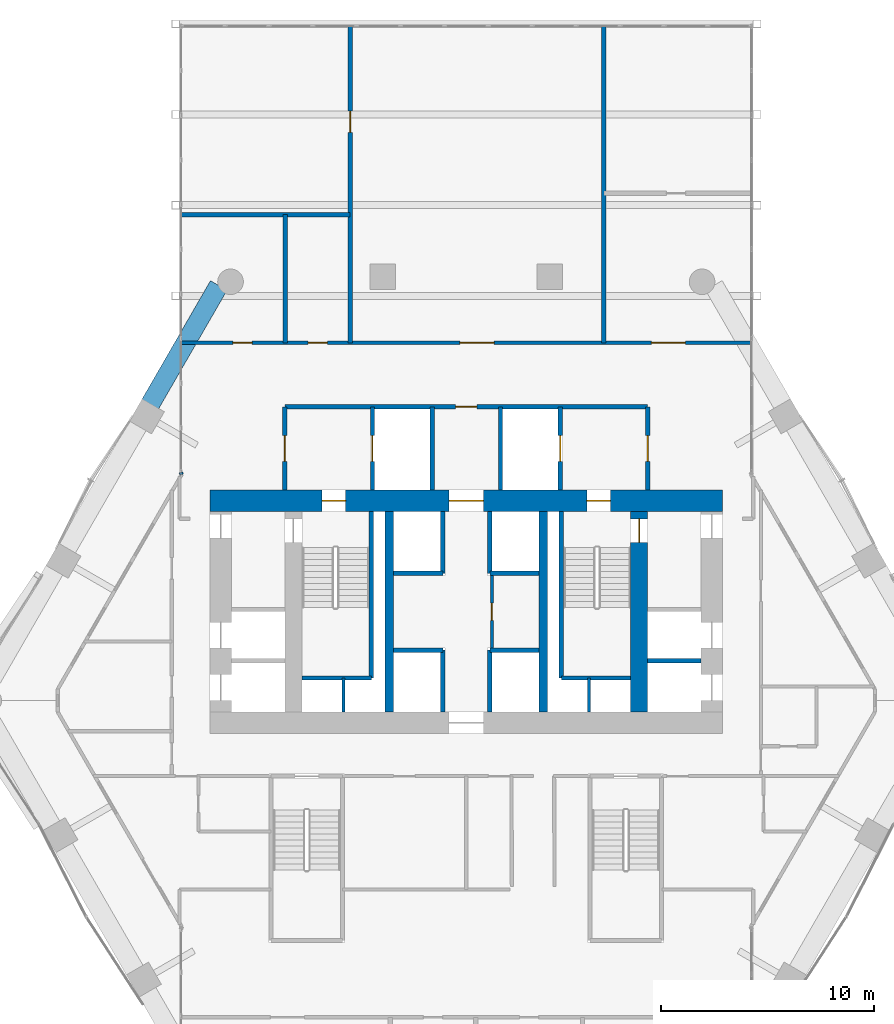
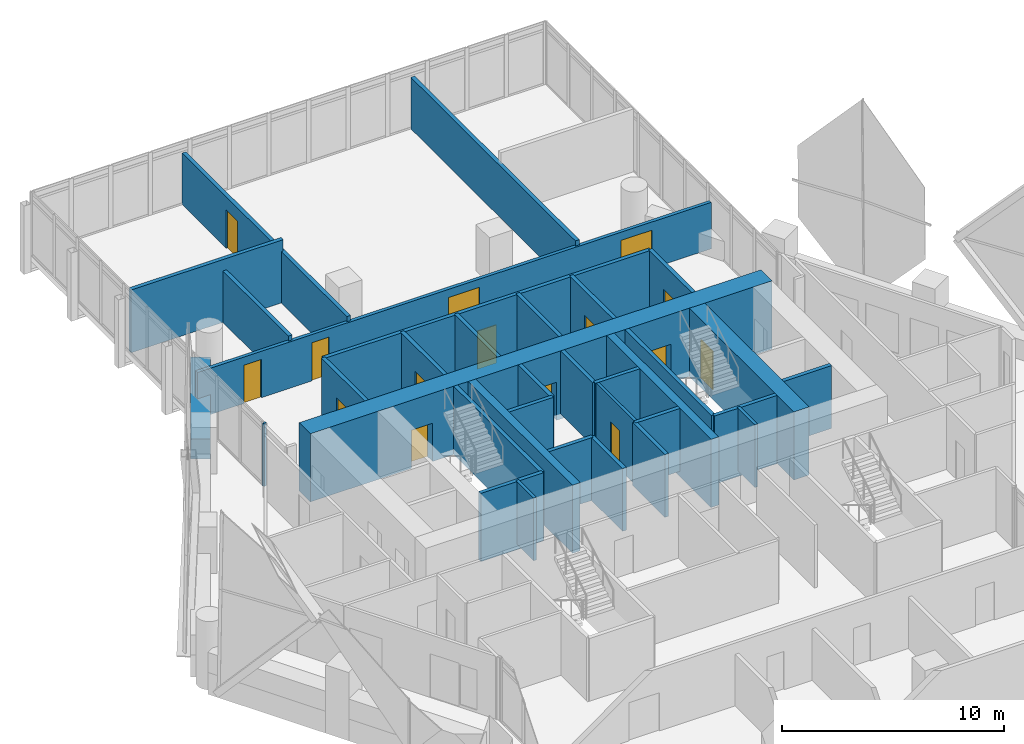
# One storey, part 31 of 38: 34 walls, 15 doors, 15 openings.
"""IFC4 building model written with IfcOpenShell, lengths in metres."""

import ifcopenshell
import ifcopenshell.guid

model = None  # the IFC model being written
_history = None  # IfcOwnerHistory: only IFC2X3 demands one
_inside = {}  # id of a spatial element -> (the spatial element, [elements in it])
_under = {}  # id of a project, library or spatial element -> (it, [spatial elements below it])
_declared = {}  # id of a project -> (the project, [libraries it declares])
_typed = {}  # id of a type object -> (the type object, [elements of that type])
_made_of = {}  # id of a material, layer set ... -> (it, [elements and type objects made of it])


def new_model(schema):
    """Start an empty IFC model of exactly this schema.

    Asked for "IFC4X3", IfcOpenShell would pick the latest addendum, in which some entities
    have other attributes; the version numbers below select the first issue.
    IFC2X3 requires an IfcOwnerHistory on every rooted entity: one is made here for all.
    """
    global model, _history
    if schema == "IFC4X3":
        model = ifcopenshell.file(schema_version=(4, 3, 0, 0))
    else:
        model = ifcopenshell.file(schema=schema)
    _inside.clear()
    _under.clear()
    _declared.clear()
    _typed.clear()
    _made_of.clear()
    _history = None
    if model.schema == "IFC2X3":
        org = make("IfcOrganization", Name="unknown")
        user = make(
            "IfcPersonAndOrganization",
            ThePerson=make("IfcPerson", FamilyName="unknown"),
            TheOrganization=org,
        )
        app = make(
            "IfcApplication",
            ApplicationDeveloper=org,
            Version="unknown",
            ApplicationFullName="unknown",
            ApplicationIdentifier="unknown",
        )
        _history = make(
            "IfcOwnerHistory",
            OwningUser=user,
            OwningApplication=app,
            ChangeAction="ADDED",
            CreationDate=0,
        )
    return model


def make(cls, **values):
    """One entity of the class cls with the attributes given. An attribute that is None is left unset."""
    return model.create_entity(
        cls, **{name: value for name, value in values.items() if value is not None}
    )


def rooted(cls, **values):
    """An entity with a GlobalId (a new one), such as an element, a storey or a relation."""
    return make(cls, GlobalId=ifcopenshell.guid.new(), OwnerHistory=_history, **values)


def si_unit(unit_type, name, prefix=None):
    """IfcSIUnit, for example si_unit("LENGTHUNIT", "METRE", prefix="MILLI")."""
    return make("IfcSIUnit", UnitType=unit_type, Prefix=prefix, Name=name)


def assignment(units):
    """IfcUnitAssignment: the units of a project."""
    return None if units is None else make("IfcUnitAssignment", Units=units)


def point(xyz):
    """IfcCartesianPoint."""
    return None if xyz is None else make("IfcCartesianPoint", Coordinates=xyz)


def direction(xyz):
    """IfcDirection."""
    return None if xyz is None else make("IfcDirection", DirectionRatios=xyz)


def frame(location, z_axis=None, x_axis=None):
    """IfcAxis2Placement3D, a coordinate frame: its origin and axes. An axis left out is left unset."""
    return make(
        "IfcAxis2Placement3D",
        Location=point(location),
        Axis=direction(z_axis),
        RefDirection=direction(x_axis),
    )


def frame_2d(location, x_axis=None):
    """IfcAxis2Placement2D, a coordinate frame in the plane: its origin and x axis."""
    return make(
        "IfcAxis2Placement2D", Location=point(location), RefDirection=direction(x_axis)
    )


def origin():
    """The frame at (0, 0, 0) with its axes left unset."""
    return frame((0.0, 0.0, 0.0))


def place(relative_to, where):
    """IfcLocalPlacement: puts the frame where relative to a parent placement (None: the world)."""
    return make(
        "IfcLocalPlacement", PlacementRelTo=relative_to, RelativePlacement=where
    )


def context(
    kind, dimensions, precision=None, world=None, true_north=None, identifier=None
):
    """IfcGeometricRepresentationContext, for example the 3D "Model" context."""
    return make(
        "IfcGeometricRepresentationContext",
        ContextIdentifier=identifier,
        ContextType=kind,
        CoordinateSpaceDimension=dimensions,
        Precision=precision,
        WorldCoordinateSystem=world,
        TrueNorth=true_north,
    )


def subcontext(parent, identifier, kind, view, scale=None):
    """IfcGeometricRepresentationSubContext, for example "Body" below "Model"."""
    return make(
        "IfcGeometricRepresentationSubContext",
        ContextIdentifier=identifier,
        ContextType=kind,
        ParentContext=parent,
        TargetScale=scale,
        TargetView=view,
    )


def project(units=None, contexts=None):
    """IfcProject with its units and contexts."""
    return rooted(
        "IfcProject",
        Name="project",
        RepresentationContexts=contexts,
        UnitsInContext=assignment(units),
    )


def spatial(cls, under=None, at=None, **own):
    """A site, building, storey or space (cls), placed at a placement, below another one or the project."""
    s = rooted(cls, ObjectPlacement=at, **own)
    if under is not None:
        _under.setdefault(under.id(), (under, []))[1].append(s)
    return s


def profile(cls, at=None, kind="AREA", **sizes):
    """A parametric profile (cls). Its sizes go by their IFC names, for example OverallWidth=200.0."""
    return make(cls, ProfileType=kind, Position=at, **sizes)


def rectangle(**sizes):
    """IfcRectangleProfileDef."""
    return profile("IfcRectangleProfileDef", **sizes)


def extrude(swept, where, along, depth):
    """IfcExtrudedAreaSolid: the profile swept, set in the frame where, extruded along a direction by depth."""
    return make(
        "IfcExtrudedAreaSolid",
        SweptArea=swept,
        Position=where,
        ExtrudedDirection=direction(along),
        Depth=depth,
    )


def shape(context_of_items, identifier, shape_type, items):
    """IfcShapeRepresentation: the items that make up one representation, for example the "Body"."""
    return make(
        "IfcShapeRepresentation",
        ContextOfItems=context_of_items,
        RepresentationIdentifier=identifier,
        RepresentationType=shape_type,
        Items=items,
    )


def material(Name=None, Category=None):
    """IfcMaterial."""
    return make("IfcMaterial", Name=Name, Category=Category)


def layer(
    of_material, thickness, ventilated=None, Name=None, Category=None, Priority=None
):
    """IfcMaterialLayer: one layer of a wall or slab, of a material (None: an air gap)."""
    return make(
        "IfcMaterialLayer",
        Material=of_material,
        LayerThickness=thickness,
        IsVentilated=ventilated,
        Name=Name,
        Category=Category,
        Priority=Priority,
    )


def layer_set(layers, Name=None):
    """IfcMaterialLayerSet."""
    return make("IfcMaterialLayerSet", MaterialLayers=layers, LayerSetName=Name)


def made_of(thing, what):
    """Note that an element or type object is made of a material, layer set ...; save() writes the relation."""
    if what is not None:
        _made_of.setdefault(what.id(), (what, []))[1].append(thing)
    return thing


def type_object(cls, material=None, **own):
    """A type object (cls), such as IfcWallType, which elements share."""
    return made_of(rooted(cls, **own), material)


def element(
    cls,
    number,
    at=None,
    inside=None,
    cuts=None,
    type_object=None,
    material=None,
    context=None,
    identifier="Body",
    shape_type=None,
    held_by="IfcProductDefinitionShape",
    body=None,
    shapes=None,
    **own,
):
    """One element of the class cls, such as IfcWall. Its Tag is "e" and its number.

    at: its placement. inside: the storey or other place that contains it. cuts: it is an
    opening in that element (IfcRelVoidsElement). A single representation is given by context,
    identifier, shape_type and body (its items); several are given by shapes. held_by: the class
    of the entity that holds the representations. save() writes the other relations.
    """
    e = rooted(cls, Tag="e%d" % number, ObjectPlacement=at, **own)
    if body is not None:
        shapes = [shape(context, identifier, shape_type, body)]
    if shapes is not None:
        e.Representation = make(held_by, Representations=shapes)
    if inside is not None:
        _inside.setdefault(inside.id(), (inside, []))[1].append(e)
    if cuts is not None:
        rooted(
            "IfcRelVoidsElement", RelatingBuildingElement=cuts, RelatedOpeningElement=e
        )
    if type_object is not None:
        _typed.setdefault(type_object.id(), (type_object, []))[1].append(e)
    return made_of(e, material)


def fill(opening, filler):
    """IfcRelFillsElement: the door or window that sits in an opening."""
    return rooted(
        "IfcRelFillsElement",
        RelatingOpeningElement=opening,
        RelatedBuildingElement=filler,
    )


def aggregate(whole, parts):
    """IfcRelAggregates: a whole, such as a stair, and the parts it consists of."""
    return rooted("IfcRelAggregates", RelatingObject=whole, RelatedObjects=parts)


def save(model, path):
    """Write the relations noted so far, then the file.

    IfcRelAggregates (storeys below a building ...), IfcRelContainedInSpatialStructure (elements
    in a storey), IfcRelDefinesByType, IfcRelAssociatesMaterial and IfcRelDeclares: one each for
    every whole, place, type object, material and project.
    """
    for whole, parts in _under.values():
        aggregate(whole, parts)
    for where, things in _inside.values():
        rooted(
            "IfcRelContainedInSpatialStructure",
            RelatedElements=things,
            RelatingStructure=where,
        )
    for kind, things in _typed.values():
        rooted("IfcRelDefinesByType", RelatedObjects=things, RelatingType=kind)
    for what, things in _made_of.values():
        rooted("IfcRelAssociatesMaterial", RelatedObjects=things, RelatingMaterial=what)
    for by, libraries in _declared.values():
        rooted("IfcRelDeclares", RelatingContext=by, RelatedDefinitions=libraries)
    model.write(path)


model = new_model("IFC4")

# Units and contexts
model_context = context("Model", 3, precision=1e-05, world=origin(), true_north=direction((0.0, 1.0)))
body_context = subcontext(model_context, "Body", "Model", "MODEL_VIEW")
ifc_project = project(units=[si_unit("LENGTHUNIT", "METRE"), si_unit("AREAUNIT", "SQUARE_METRE"), si_unit("VOLUMEUNIT", "CUBIC_METRE"), si_unit("PLANEANGLEUNIT", "RADIAN"), si_unit("MASSUNIT", "GRAM", prefix="KILO")], contexts=[model_context])

# Site, building, storey
site_placement = place(None, origin())
site = spatial("IfcSite", under=ifc_project, at=site_placement, CompositionType="ELEMENT")
building_placement = place(site_placement, origin())
building = spatial("IfcBuilding", under=site, at=building_placement, Name="Ostrander Bayou Hotel Tower", CompositionType="ELEMENT")
storey_placement = place(building_placement, frame((0.0, 0.0, 96.75)))
storey = spatial("IfcBuildingStorey", under=building, at=storey_placement, Name="L24", CompositionType="ELEMENT", Elevation=96.75)

# Wall, openings, doors
ifc_material_1 = material(Name="Concrete f'c 70 MPa", Category="concrete")
ifc_layer_1 = layer(ifc_material_1, 1.0)
ifc_layer_set_1 = layer_set([ifc_layer_1], Name="CW4 core wall 1000 mm f'c 70 MPa")
wall_type_1 = type_object("IfcWallType", Name="CW4 core wall 1000 mm f'c 70 MPa", PredefinedType="SHEAR", material=ifc_layer_set_1)
wall_1_placement = place(storey_placement, frame((-12.0, 9.199951171875, -0.300048828125), z_axis=(0.0, 0.0, 1.0), x_axis=(1.0, 0.0, 0.0)))
wall_1 = element("IfcWall", 1, at=wall_1_placement, inside=storey, type_object=wall_type_1, Name="CW4 L24 N", PredefinedType="SHEAR", context=body_context, shape_type="SweptSolid", body=[
    extrude(rectangle(XDim=24.0, YDim=1.0, at=frame_2d((12.0, 0.0))), origin(), (0.0, 0.0, 1.0), 3.75),
])
opening_1_placement = place(wall_1_placement, frame((11.199951171875, 0.0, 0.0)))
opening_1 = element("IfcOpeningElement", 2, at=opening_1_placement, cuts=wall_1, Name="Opening T23-002", PredefinedType="OPENING", context=body_context, shape_type="SweptSolid", body=[
    extrude(rectangle(XDim=1.60009765625, YDim=2.10009765625, at=frame_2d((0.800048828125, 1.050048828125))), frame((0.0, 0.5, 0.0), z_axis=(0.0, -1.0, 0.0), x_axis=(1.0, 0.0, 0.0)), (0.0, 0.0, 1.0), 1.0),
])
opening_2_placement = place(wall_1_placement, frame((5.25, 0.0, 0.0)))
opening_2 = element("IfcOpeningElement", 3, at=opening_2_placement, cuts=wall_1, Name="Opening T23-003", PredefinedType="OPENING", context=body_context, shape_type="SweptSolid", body=[
    extrude(rectangle(XDim=1.10009765625, YDim=2.10009765625, at=frame_2d((0.550048828125, 1.050048828125))), frame((0.0, 0.5, 0.0), z_axis=(0.0, -1.0, 0.0), x_axis=(1.0, 0.0, 0.0)), (0.0, 0.0, 1.0), 1.0),
])
opening_3_placement = place(wall_1_placement, frame((17.64990234375, 0.0, 0.0)))
opening_3 = element("IfcOpeningElement", 4, at=opening_3_placement, cuts=wall_1, Name="Opening T23-005", PredefinedType="OPENING", context=body_context, shape_type="SweptSolid", body=[
    extrude(rectangle(XDim=1.10009765625, YDim=2.10009765625, at=frame_2d((0.550048828125, 1.050048828125))), frame((0.0, 0.5, 0.0), z_axis=(0.0, -1.0, 0.0), x_axis=(1.0, 0.0, 0.0)), (0.0, 0.0, 1.0), 1.0),
])
ifc_material_2 = material(Name="Timber door leaf", Category="wood")
door_type_1 = type_object("IfcDoorType", Name="D13 double door 1600 x 2100 mm, 1 hour", OperationType="SINGLE_SWING_LEFT", PredefinedType="DOOR", material=ifc_material_2)
door_1_placement = place(opening_1_placement, origin())
door_1 = element("IfcDoor", 5, at=door_1_placement, inside=storey, type_object=door_type_1, Name="dr:L24:002", OperationType="DOUBLE_DOOR_SINGLE_SWING", OverallHeight=2.10009765625, OverallWidth=1.60009765625, PredefinedType="DOOR", context=body_context, shape_type="SweptSolid", body=[
    extrude(rectangle(XDim=1.60009765625, YDim=2.10009765625, at=frame_2d((0.800048828125, 1.050048828125))), frame((0.0, 0.02490234375, 0.0), z_axis=(0.0, -1.0, 0.0), x_axis=(1.0, 0.0, 0.0)), (0.0, 0.0, 1.0), 0.050048828125),
])
fill(opening_1, door_1)
ifc_material_3 = material(Name="Timber door leaf", Category="wood")
door_type_2 = type_object("IfcDoorType", Name="D5 stair door 1100 x 2100 mm, 90 minute", OperationType="SINGLE_SWING_LEFT", PredefinedType="DOOR", material=ifc_material_3)
door_2_placement = place(opening_2_placement, origin())
door_2 = element("IfcDoor", 6, at=door_2_placement, inside=storey, type_object=door_type_2, Name="dr:L24:003", OperationType="SINGLE_SWING_LEFT", OverallHeight=2.10009765625, OverallWidth=1.10009765625, PredefinedType="DOOR", context=body_context, shape_type="SweptSolid", body=[
    extrude(rectangle(XDim=1.10009765625, YDim=2.10009765625, at=frame_2d((0.550048828125, 1.050048828125))), frame((0.0, 0.02490234375, 0.0), z_axis=(0.0, -1.0, 0.0), x_axis=(1.0, 0.0, 0.0)), (0.0, 0.0, 1.0), 0.050048828125),
])
fill(opening_2, door_2)
door_3_placement = place(opening_3_placement, origin())
door_3 = element("IfcDoor", 7, at=door_3_placement, inside=storey, type_object=door_type_2, Name="dr:L24:005", OperationType="SINGLE_SWING_RIGHT", OverallHeight=2.10009765625, OverallWidth=1.10009765625, PredefinedType="DOOR", context=body_context, shape_type="SweptSolid", body=[
    extrude(rectangle(XDim=1.10009765625, YDim=2.10009765625, at=frame_2d((0.550048828125, 1.050048828125))), frame((0.0, 0.02490234375, 0.0), z_axis=(0.0, -1.0, 0.0), x_axis=(1.0, 0.0, 0.0)), (0.0, 0.0, 1.0), 0.050048828125),
])
fill(opening_3, door_3)

# Wall, opening, door
ifc_material_4 = material(Name="Concrete f'c 70 MPa", Category="concrete")
ifc_layer_2 = layer(ifc_material_4, 0.800048828125)
ifc_layer_set_2 = layer_set([ifc_layer_2], Name="CW5 core spine wall 800 mm f'c 70 MPa")
wall_type_2 = type_object("IfcWallType", Name="CW5 core spine wall 800 mm f'c 70 MPa", PredefinedType="SHEAR", material=ifc_layer_set_2)
wall_2_placement = place(storey_placement, frame((8.10009765625, -0.699951171875, -0.300048828125), z_axis=(0.0, 0.0, 1.0), x_axis=(0.0, 1.0, 0.0)))
wall_2 = element("IfcWall", 8, at=wall_2_placement, inside=storey, type_object=wall_type_2, Name="CW5 L24 E", PredefinedType="SHEAR", context=body_context, shape_type="SweptSolid", body=[
    extrude(rectangle(XDim=9.39990234375, YDim=0.800048828125, at=frame_2d((4.699951171875, 0.0))), origin(), (0.0, 0.0, 1.0), 3.75),
])
opening_4_placement = place(wall_2_placement, frame((7.949951171875, 0.0, 0.0)))
opening_4 = element("IfcOpeningElement", 9, at=opening_4_placement, cuts=wall_2, Name="Opening T23-006", PredefinedType="OPENING", context=body_context, shape_type="SweptSolid", body=[
    extrude(rectangle(XDim=1.10009765625, YDim=2.10009765625, at=frame_2d((0.550048828125, 1.050048828125))), frame((0.0, 0.39990234375, 0.0), z_axis=(0.0, -1.0, 0.0), x_axis=(1.0, 0.0, 0.0)), (0.0, 0.0, 1.0), 0.800048828125),
])
door_4_placement = place(opening_4_placement, origin())
door_4 = element("IfcDoor", 10, at=door_4_placement, inside=storey, type_object=door_type_2, Name="dr:L24:006", OperationType="SINGLE_SWING_LEFT", OverallHeight=2.10009765625, OverallWidth=1.10009765625, PredefinedType="DOOR", context=body_context, shape_type="SweptSolid", body=[
    extrude(rectangle(XDim=1.10009765625, YDim=2.10009765625, at=frame_2d((0.550048828125, 1.050048828125))), frame((0.0, 0.02490234375, 0.0), z_axis=(0.0, -1.0, 0.0), x_axis=(1.0, 0.0, 0.0)), (0.0, 0.0, 1.0), 0.050048828125),
])
fill(opening_4, door_4)

# Walls
ifc_material_5 = material(Name="Concrete f'c 70 MPa", Category="concrete")
ifc_layer_3 = layer(ifc_material_5, 0.39990234375)
ifc_layer_set_3 = layer_set([ifc_layer_3], Name="CW6 core bank wall 400 mm f'c 70 MPa")
wall_type_3 = type_object("IfcWallType", Name="CW6 core bank wall 400 mm f'c 70 MPa", PredefinedType="SHEAR", material=ifc_layer_set_3)
for number, where, z_axis, x_axis, name in (
    (11, (-3.60009765625, -0.699951171875, -0.300048828125), (0.0, 0.0, 1.0), (0.0, 1.0, 0.0), "CW6 L24 CW"),
    (12, (3.60009765625, -0.699951171875, -0.300048828125), (0.0, 0.0, 1.0), (0.0, 1.0, 0.0), "CW6 L24 CE"),
):
    element("IfcWall", number, at=place(storey_placement, frame(where, z_axis=z_axis, x_axis=x_axis)), inside=storey, type_object=wall_type_3, Name=name, PredefinedType="SHEAR", context=body_context, shape_type="SweptSolid", body=[
        extrude(rectangle(XDim=9.39990234375, YDim=0.39990234375, at=frame_2d((4.699951171875, 0.0))), origin(), (0.0, 0.0, 1.0), 3.75),
    ])
ifc_material_6 = material(Name="Aluminium framed insulated wall", Category="aluminium")
ifc_layer_4 = layer(ifc_material_6, 0.14990234375)
ifc_layer_set_4 = layer_set([ifc_layer_4], Name="GW1 glass-line wall 150 mm")
wall_type_4 = type_object("IfcWallType", Name="GW1 glass-line wall 150 mm", PredefinedType="SOLIDWALL", material=ifc_layer_set_4)
wall_3_placement = place(storey_placement, frame((-13.333984375, 10.427490234375, 0.0), z_axis=(0.0, 0.0, 1.0), x_axis=(-0.337751931921, 0.941235163221, 0.0)))
element("IfcWall", 13, at=wall_3_placement, inside=storey, type_object=wall_type_4, Name="GW1 L24 bar joint 1", PredefinedType="SOLIDWALL", context=body_context, shape_type="SweptSolid", body=[
    extrude(rectangle(XDim=0.098388671875, YDim=0.14990234375, at=frame_2d((0.04931640625, 0.0))), origin(), (0.0, 0.0, 1.0), 3.449951171875),
])
ifc_material_7 = material(Name="Concrete f'c 40 MPa", Category="concrete")
ifc_layer_5 = layer(ifc_material_7, 0.89990234375)
ifc_layer_set_5 = layer_set([ifc_layer_5], Name="PA1 stone-faced parapet 900 mm")
wall_type_5 = type_object("IfcWallType", Name="PA1 stone-faced parapet 900 mm", PredefinedType="PARAPET", material=ifc_layer_set_5)
wall_4_placement = place(storey_placement, frame((-11.5966796875, 19.286376953125, 0.0), z_axis=(0.0, 0.0, 1.0), x_axis=(-0.50002823779, -0.866009100075, 0.0)))
element("IfcWall", 14, at=wall_4_placement, inside=storey, type_object=wall_type_5, Name="PA1 L24 NW-1", PredefinedType="PARAPET", context=body_context, shape_type="SweptSolid", body=[
    extrude(rectangle(XDim=6.427490234375, YDim=0.89990234375, at=frame_2d((3.2138671875, 0.0))), origin(), (0.0, 0.0, 1.0), 1.10009765625),
])
ifc_material_8 = material(Name="Gypsum board partition", Category="finish")
ifc_layer_6 = layer(ifc_material_8, 0.199951171875)
ifc_layer_set_6 = layer_set([ifc_layer_6], Name="PT3 demising wall 200 mm acoustic double stud, 1 hour")
wall_type_6 = type_object("IfcWallType", Name="PT3 demising wall 200 mm acoustic double stud, 1 hour", PredefinedType="PARTITIONING", material=ifc_layer_set_6)
wall_5_placement = place(storey_placement, frame((-13.34814453125, 22.60009765625, 0.0), z_axis=(0.0, 0.0, 1.0), x_axis=(1.0, 0.0, 0.0)))
element("IfcWall", 15, at=wall_5_placement, inside=storey, type_object=wall_type_6, Name="sw:L24:503", PredefinedType="PARTITIONING", context=body_context, shape_type="SweptSolid", body=[
    extrude(rectangle(XDim=7.906005859375, YDim=0.199951171875, at=frame_2d((3.953125, 0.0))), origin(), (0.0, 0.0, 1.0), 3.449951171875),
])
wall_6_placement = place(storey_placement, frame((-8.48193359375, 16.60009765625, 0.0), z_axis=(0.0, 0.0, 1.0), x_axis=(0.0, 1.0, 0.0)))
element("IfcWall", 16, at=wall_6_placement, inside=storey, type_object=wall_type_6, Name="sw:L24:505", PredefinedType="PARTITIONING", context=body_context, shape_type="SweptSolid", body=[
    extrude(rectangle(XDim=6.0, YDim=0.199951171875, at=frame_2d((3.0, 0.0))), origin(), (0.0, 0.0, 1.0), 2.828125),
])

# Wall, opening, door
wall_7_placement = place(storey_placement, frame((-5.44189453125, 16.60009765625, 0.0), z_axis=(0.0, 0.0, 1.0), x_axis=(0.0, 1.0, 0.0)))
wall_7 = element("IfcWall", 17, at=wall_7_placement, inside=storey, type_object=wall_type_6, Name="sw:L24:506", PredefinedType="PARTITIONING", context=body_context, shape_type="SweptSolid", body=[
    extrude(rectangle(XDim=14.826416015625, YDim=0.199951171875, at=frame_2d((7.4130859375, 0.0))), origin(), (0.0, 0.0, 1.0), 2.828125),
])
opening_5_placement = place(wall_7_placement, frame((9.857666015625, 0.0, 0.0)))
opening_5 = element("IfcOpeningElement", 18, at=opening_5_placement, cuts=wall_7, Name="Opening T23-1207", PredefinedType="OPENING", context=body_context, shape_type="SweptSolid", body=[
    extrude(rectangle(XDim=1.0, YDim=2.10009765625, at=frame_2d((0.5, 1.050048828125))), frame((0.0, 0.10009765625, 0.0), z_axis=(0.0, -1.0, 0.0), x_axis=(1.0, 0.0, 0.0)), (0.0, 0.0, 1.0), 0.199951171875),
])
ifc_material_9 = material(Name="Timber door leaf", Category="wood")
door_type_3 = type_object("IfcDoorType", Name="D9 service door 1000 x 2100 mm, 30 minute", OperationType="SINGLE_SWING_LEFT", PredefinedType="DOOR", material=ifc_material_9)
door_5_placement = place(opening_5_placement, origin())
door_5 = element("IfcDoor", 19, at=door_5_placement, inside=storey, type_object=door_type_3, Name="dr:L24:1207", OperationType="SINGLE_SWING_LEFT", OverallHeight=2.10009765625, OverallWidth=1.0, PredefinedType="DOOR", context=body_context, shape_type="SweptSolid", body=[
    extrude(rectangle(XDim=1.0, YDim=2.10009765625, at=frame_2d((0.5, 1.050048828125))), frame((0.0, 0.02490234375, 0.0), z_axis=(0.0, -1.0, 0.0), x_axis=(1.0, 0.0, 0.0)), (0.0, 0.0, 1.0), 0.050048828125),
])
fill(opening_5, door_5)

# Wall
wall_8_placement = place(storey_placement, frame((6.44189453125, 16.60009765625, 0.0), z_axis=(0.0, 0.0, 1.0), x_axis=(0.0, 1.0, 0.0)))
element("IfcWall", 20, at=wall_8_placement, inside=storey, type_object=wall_type_6, Name="sw:L24:510", PredefinedType="PARTITIONING", context=body_context, shape_type="SweptSolid", body=[
    extrude(rectangle(XDim=14.826416015625, YDim=0.199951171875, at=frame_2d((7.4130859375, 0.0))), origin(), (0.0, 0.0, 1.0), 2.828125),
])

# Wall, openings, doors
ifc_material_10 = material(Name="Gypsum board partition", Category="finish")
ifc_layer_7 = layer(ifc_material_10, 0.175048828125)
ifc_layer_set_7 = layer_set([ifc_layer_7], Name="PT4 corridor wall 175 mm, 1 hour")
wall_type_7 = type_object("IfcWallType", Name="PT4 corridor wall 175 mm, 1 hour", PredefinedType="PARTITIONING", material=ifc_layer_set_7)
wall_9_placement = place(storey_placement, frame((-13.34814453125, 16.60009765625, 0.0), z_axis=(0.0, 0.0, 1.0), x_axis=(1.0, 0.0, 0.0)))
wall_9 = element("IfcWall", 21, at=wall_9_placement, inside=storey, type_object=wall_type_7, Name="sw:L24:501", PredefinedType="PARTITIONING", context=body_context, shape_type="SweptSolid", body=[
    extrude(rectangle(XDim=26.6962890625, YDim=0.175048828125, at=frame_2d((13.34814453125, 0.0))), origin(), (0.0, 0.0, 1.0), 2.550048828125),
])
opening_6_placement = place(wall_9_placement, frame((22.01416015625, 0.0, 0.0)))
opening_6 = element("IfcOpeningElement", 22, at=opening_6_placement, cuts=wall_9, Name="Opening T23-1205", PredefinedType="OPENING", context=body_context, shape_type="SweptSolid", body=[
    extrude(rectangle(XDim=1.60009765625, YDim=2.10009765625, at=frame_2d((0.800048828125, 1.050048828125))), frame((0.0, 0.08740234375, 0.0), z_axis=(0.0, -1.0, 0.0), x_axis=(1.0, 0.0, 0.0)), (0.0, 0.0, 1.0), 0.175048828125),
])
opening_7_placement = place(wall_9_placement, frame((2.412353515625, 0.0, 0.0)))
opening_7 = element("IfcOpeningElement", 23, at=opening_7_placement, cuts=wall_9, Name="Opening T23-1208", PredefinedType="OPENING", context=body_context, shape_type="SweptSolid", body=[
    extrude(rectangle(XDim=0.89990234375, YDim=2.10009765625, at=frame_2d((0.449951171875, 1.050048828125))), frame((0.0, 0.08740234375, 0.0), z_axis=(0.0, -1.0, 0.0), x_axis=(1.0, 0.0, 0.0)), (0.0, 0.0, 1.0), 0.175048828125),
])
opening_8_placement = place(wall_9_placement, frame((5.93603515625, 0.0, 0.0)))
opening_8 = element("IfcOpeningElement", 24, at=opening_8_placement, cuts=wall_9, Name="Opening T23-1209", PredefinedType="OPENING", context=body_context, shape_type="SweptSolid", body=[
    extrude(rectangle(XDim=0.89990234375, YDim=2.10009765625, at=frame_2d((0.449951171875, 1.050048828125))), frame((0.0, 0.08740234375, 0.0), z_axis=(0.0, -1.0, 0.0), x_axis=(1.0, 0.0, 0.0)), (0.0, 0.0, 1.0), 0.175048828125),
])
opening_9_placement = place(wall_9_placement, frame((13.048095703125, 0.0, 0.0)))
opening_9 = element("IfcOpeningElement", 25, at=opening_9_placement, cuts=wall_9, Name="Opening T23-1210", PredefinedType="OPENING", context=body_context, shape_type="SweptSolid", body=[
    extrude(rectangle(XDim=1.60009765625, YDim=2.10009765625, at=frame_2d((0.800048828125, 1.050048828125))), frame((0.0, 0.08740234375, 0.0), z_axis=(0.0, -1.0, 0.0), x_axis=(1.0, 0.0, 0.0)), (0.0, 0.0, 1.0), 0.175048828125),
])
door_6_placement = place(opening_6_placement, origin())
door_6 = element("IfcDoor", 26, at=door_6_placement, inside=storey, type_object=door_type_1, Name="dr:L24:1205", OperationType="DOUBLE_DOOR_SINGLE_SWING", OverallHeight=2.10009765625, OverallWidth=1.60009765625, PredefinedType="DOOR", context=body_context, shape_type="SweptSolid", body=[
    extrude(rectangle(XDim=1.60009765625, YDim=2.10009765625, at=frame_2d((0.800048828125, 1.050048828125))), frame((0.0, 0.02490234375, 0.0), z_axis=(0.0, -1.0, 0.0), x_axis=(1.0, 0.0, 0.0)), (0.0, 0.0, 1.0), 0.050048828125),
])
fill(opening_6, door_6)
door_7_placement = place(opening_9_placement, origin())
door_7 = element("IfcDoor", 27, at=door_7_placement, inside=storey, type_object=door_type_1, Name="dr:L24:1210", OperationType="DOUBLE_DOOR_SINGLE_SWING", OverallHeight=2.10009765625, OverallWidth=1.60009765625, PredefinedType="DOOR", context=body_context, shape_type="SweptSolid", body=[
    extrude(rectangle(XDim=1.60009765625, YDim=2.10009765625, at=frame_2d((0.800048828125, 1.050048828125))), frame((0.0, 0.02490234375, 0.0), z_axis=(0.0, -1.0, 0.0), x_axis=(1.0, 0.0, 0.0)), (0.0, 0.0, 1.0), 0.050048828125),
])
fill(opening_9, door_7)
ifc_material_11 = material(Name="Timber door leaf", Category="wood")
door_type_4 = type_object("IfcDoorType", Name="D8 room door 900 x 2100 mm", OperationType="SINGLE_SWING_LEFT", PredefinedType="DOOR", material=ifc_material_11)
door_8_placement = place(opening_7_placement, origin())
door_8 = element("IfcDoor", 28, at=door_8_placement, inside=storey, type_object=door_type_4, Name="dr:L24:1208", OperationType="SINGLE_SWING_RIGHT", OverallHeight=2.10009765625, OverallWidth=0.89990234375, PredefinedType="DOOR", context=body_context, shape_type="SweptSolid", body=[
    extrude(rectangle(XDim=0.89990234375, YDim=2.10009765625, at=frame_2d((0.449951171875, 1.050048828125))), frame((0.0, 0.02490234375, 0.0), z_axis=(0.0, -1.0, 0.0), x_axis=(1.0, 0.0, 0.0)), (0.0, 0.0, 1.0), 0.050048828125),
])
fill(opening_7, door_8)
door_9_placement = place(opening_8_placement, origin())
door_9 = element("IfcDoor", 29, at=door_9_placement, inside=storey, type_object=door_type_4, Name="dr:L24:1209", OperationType="SINGLE_SWING_LEFT", OverallHeight=2.10009765625, OverallWidth=0.89990234375, PredefinedType="DOOR", context=body_context, shape_type="SweptSolid", body=[
    extrude(rectangle(XDim=0.89990234375, YDim=2.10009765625, at=frame_2d((0.449951171875, 1.050048828125))), frame((0.0, 0.02490234375, 0.0), z_axis=(0.0, -1.0, 0.0), x_axis=(1.0, 0.0, 0.0)), (0.0, 0.0, 1.0), 0.050048828125),
])
fill(opening_8, door_9)

# Wall, opening, door
ifc_material_12 = material(Name="Masonry block", Category="masonry")
ifc_layer_8 = layer(ifc_material_12, 0.199951171875)
ifc_layer_set_8 = layer_set([ifc_layer_8], Name="PT5 stair enclosure wall 200 mm masonry, 2 hour")
wall_type_8 = type_object("IfcWallType", Name="PT5 stair enclosure wall 200 mm masonry, 2 hour", PredefinedType="PARTITIONING", material=ifc_layer_set_8)
wall_10_placement = place(storey_placement, frame((-8.5, 13.60009765625, 0.0), z_axis=(0.0, 0.0, 1.0), x_axis=(1.0, 0.0, 0.0)))
wall_10 = element("IfcWall", 30, at=wall_10_placement, inside=storey, type_object=wall_type_8, Name="cs:L24:023", PredefinedType="PARTITIONING", context=body_context, shape_type="SweptSolid", body=[
    extrude(rectangle(XDim=17.0, YDim=0.199951171875, at=frame_2d((8.5, 0.0))), origin(), (0.0, 0.0, 1.0), 3.449951171875),
])
opening_10_placement = place(wall_10_placement, frame((8.0, 0.0, 0.0)))
opening_10 = element("IfcOpeningElement", 31, at=opening_10_placement, cuts=wall_10, Name="Opening T23-013", PredefinedType="OPENING", context=body_context, shape_type="SweptSolid", body=[
    extrude(rectangle(XDim=1.0, YDim=2.10009765625, at=frame_2d((0.5, 1.050048828125))), frame((0.0, 0.10009765625, 0.0), z_axis=(0.0, -1.0, 0.0), x_axis=(1.0, 0.0, 0.0)), (0.0, 0.0, 1.0), 0.199951171875),
])
door_10_placement = place(opening_10_placement, origin())
door_10 = element("IfcDoor", 32, at=door_10_placement, inside=storey, type_object=door_type_3, Name="dr:L24:013", OperationType="SINGLE_SWING_LEFT", OverallHeight=2.10009765625, OverallWidth=1.0, PredefinedType="DOOR", context=body_context, shape_type="SweptSolid", body=[
    extrude(rectangle(XDim=1.0, YDim=2.10009765625, at=frame_2d((0.5, 1.050048828125))), frame((0.0, 0.02490234375, 0.0), z_axis=(0.0, -1.0, 0.0), x_axis=(1.0, 0.0, 0.0)), (0.0, 0.0, 1.0), 0.050048828125),
])
fill(opening_10, door_10)

wall_11_placement = place(storey_placement, frame((-8.5, 9.699951171875, 0.0), z_axis=(0.0, 0.0, 1.0), x_axis=(0.0, 1.0, 0.0)))
wall_11 = element("IfcWall", 33, at=wall_11_placement, inside=storey, type_object=wall_type_8, Name="cs:L24:024", PredefinedType="PARTITIONING", context=body_context, shape_type="SweptSolid", body=[
    extrude(rectangle(XDim=3.900146484375, YDim=0.199951171875, at=frame_2d((1.9501953125, 0.0))), origin(), (0.0, 0.0, 1.0), 3.449951171875),
])
opening_11_placement = place(wall_11_placement, frame((1.35009765625, 0.0, 0.0)))
opening_11 = element("IfcOpeningElement", 34, at=opening_11_placement, cuts=wall_11, Name="Opening T23-010", PredefinedType="OPENING", context=body_context, shape_type="SweptSolid", body=[
    extrude(rectangle(XDim=1.199951171875, YDim=2.10009765625, at=frame_2d((0.60009765625, 1.050048828125))), frame((0.0, 0.10009765625, 0.0), z_axis=(0.0, -1.0, 0.0), x_axis=(1.0, 0.0, 0.0)), (0.0, 0.0, 1.0), 0.199951171875),
])
ifc_material_13 = material(Name="Timber door leaf", Category="wood")
door_type_5 = type_object("IfcDoorType", Name="D7 lobby door 1200 x 2100 mm, 1 hour", OperationType="SINGLE_SWING_LEFT", PredefinedType="DOOR", material=ifc_material_13)
door_11_placement = place(opening_11_placement, origin())
door_11 = element("IfcDoor", 35, at=door_11_placement, inside=storey, type_object=door_type_5, Name="dr:L24:010", OperationType="SINGLE_SWING_LEFT", OverallHeight=2.10009765625, OverallWidth=1.199951171875, PredefinedType="DOOR", context=body_context, shape_type="SweptSolid", body=[
    extrude(rectangle(XDim=1.199951171875, YDim=2.10009765625, at=frame_2d((0.60009765625, 1.050048828125))), frame((0.0, 0.02490234375, 0.0), z_axis=(0.0, -1.0, 0.0), x_axis=(1.0, 0.0, 0.0)), (0.0, 0.0, 1.0), 0.050048828125),
])
fill(opening_11, door_11)

wall_12_placement = place(storey_placement, frame((8.5, 9.699951171875, 0.0), z_axis=(0.0, 0.0, 1.0), x_axis=(0.0, 1.0, 0.0)))
wall_12 = element("IfcWall", 36, at=wall_12_placement, inside=storey, type_object=wall_type_8, Name="cs:L24:025", PredefinedType="PARTITIONING", context=body_context, shape_type="SweptSolid", body=[
    extrude(rectangle(XDim=3.900146484375, YDim=0.199951171875, at=frame_2d((1.9501953125, 0.0))), origin(), (0.0, 0.0, 1.0), 3.449951171875),
])
opening_12_placement = place(wall_12_placement, frame((1.35009765625, 0.0, 0.0)))
opening_12 = element("IfcOpeningElement", 37, at=opening_12_placement, cuts=wall_12, Name="Opening T23-012", PredefinedType="OPENING", context=body_context, shape_type="SweptSolid", body=[
    extrude(rectangle(XDim=1.199951171875, YDim=2.10009765625, at=frame_2d((0.60009765625, 1.050048828125))), frame((0.0, 0.10009765625, 0.0), z_axis=(0.0, -1.0, 0.0), x_axis=(1.0, 0.0, 0.0)), (0.0, 0.0, 1.0), 0.199951171875),
])
door_12_placement = place(opening_12_placement, origin())
door_12 = element("IfcDoor", 38, at=door_12_placement, inside=storey, type_object=door_type_5, Name="dr:L24:012", OperationType="SINGLE_SWING_LEFT", OverallHeight=2.10009765625, OverallWidth=1.199951171875, PredefinedType="DOOR", context=body_context, shape_type="SweptSolid", body=[
    extrude(rectangle(XDim=1.199951171875, YDim=2.10009765625, at=frame_2d((0.60009765625, 1.050048828125))), frame((0.0, 0.02490234375, 0.0), z_axis=(0.0, -1.0, 0.0), x_axis=(1.0, 0.0, 0.0)), (0.0, 0.0, 1.0), 0.050048828125),
])
fill(opening_12, door_12)

wall_13_placement = place(storey_placement, frame((-4.39990234375, 9.699951171875, 0.0), z_axis=(0.0, 0.0, 1.0), x_axis=(0.0, 1.0, 0.0)))
wall_13 = element("IfcWall", 39, at=wall_13_placement, inside=storey, type_object=wall_type_8, Name="cs:L24:026", PredefinedType="PARTITIONING", context=body_context, shape_type="SweptSolid", body=[
    extrude(rectangle(XDim=3.900146484375, YDim=0.199951171875, at=frame_2d((1.9501953125, 0.0))), origin(), (0.0, 0.0, 1.0), 3.449951171875),
])
opening_13_placement = place(wall_13_placement, frame((1.35009765625, 0.0, 0.0)))
opening_13 = element("IfcOpeningElement", 40, at=opening_13_placement, cuts=wall_13, Name="Opening T23-009", PredefinedType="OPENING", context=body_context, shape_type="SweptSolid", body=[
    extrude(rectangle(XDim=1.199951171875, YDim=2.10009765625, at=frame_2d((0.60009765625, 1.050048828125))), frame((0.0, 0.10009765625, 0.0), z_axis=(0.0, -1.0, 0.0), x_axis=(1.0, 0.0, 0.0)), (0.0, 0.0, 1.0), 0.199951171875),
])
ifc_material_14 = material(Name="Stainless steel sliding door", Category="steel")
door_type_6 = type_object("IfcDoorType", Name="LD1 lift landing door 1200 x 2100 mm", OperationType="SINGLE_SWING_LEFT", PredefinedType="DOOR", material=ifc_material_14)
door_13_placement = place(opening_13_placement, origin())
door_13 = element("IfcDoor", 41, at=door_13_placement, inside=storey, type_object=door_type_6, Name="dr:L24:009", OperationType="SLIDING_TO_LEFT", OverallHeight=2.10009765625, OverallWidth=1.199951171875, PredefinedType="DOOR", context=body_context, shape_type="SweptSolid", body=[
    extrude(rectangle(XDim=1.199951171875, YDim=2.10009765625, at=frame_2d((0.60009765625, 1.050048828125))), frame((0.0, 0.02490234375, 0.0), z_axis=(0.0, -1.0, 0.0), x_axis=(1.0, 0.0, 0.0)), (0.0, 0.0, 1.0), 0.050048828125),
])
fill(opening_13, door_13)

wall_14_placement = place(storey_placement, frame((4.39990234375, 9.699951171875, 0.0), z_axis=(0.0, 0.0, 1.0), x_axis=(0.0, 1.0, 0.0)))
wall_14 = element("IfcWall", 42, at=wall_14_placement, inside=storey, type_object=wall_type_8, Name="cs:L24:027", PredefinedType="PARTITIONING", context=body_context, shape_type="SweptSolid", body=[
    extrude(rectangle(XDim=3.900146484375, YDim=0.199951171875, at=frame_2d((1.9501953125, 0.0))), origin(), (0.0, 0.0, 1.0), 3.449951171875),
])
opening_14_placement = place(wall_14_placement, frame((1.35009765625, 0.0, 0.0)))
opening_14 = element("IfcOpeningElement", 43, at=opening_14_placement, cuts=wall_14, Name="Opening T23-011", PredefinedType="OPENING", context=body_context, shape_type="SweptSolid", body=[
    extrude(rectangle(XDim=1.199951171875, YDim=2.10009765625, at=frame_2d((0.60009765625, 1.050048828125))), frame((0.0, 0.10009765625, 0.0), z_axis=(0.0, -1.0, 0.0), x_axis=(1.0, 0.0, 0.0)), (0.0, 0.0, 1.0), 0.199951171875),
])
door_14_placement = place(opening_14_placement, origin())
door_14 = element("IfcDoor", 44, at=door_14_placement, inside=storey, type_object=door_type_6, Name="dr:L24:011", OperationType="SLIDING_TO_LEFT", OverallHeight=2.10009765625, OverallWidth=1.199951171875, PredefinedType="DOOR", context=body_context, shape_type="SweptSolid", body=[
    extrude(rectangle(XDim=1.199951171875, YDim=2.10009765625, at=frame_2d((0.60009765625, 1.050048828125))), frame((0.0, 0.02490234375, 0.0), z_axis=(0.0, -1.0, 0.0), x_axis=(1.0, 0.0, 0.0)), (0.0, 0.0, 1.0), 0.050048828125),
])
fill(opening_14, door_14)

# Walls
ifc_material_15 = material(Name="Masonry block", Category="masonry")
ifc_layer_9 = layer(ifc_material_15, 0.199951171875)
ifc_layer_set_9 = layer_set([ifc_layer_9], Name="PT6 lift shaft wall 200 mm masonry, 2 hour")
wall_type_9 = type_object("IfcWallType", Name="PT6 lift shaft wall 200 mm masonry, 2 hour", PredefinedType="PARTITIONING", material=ifc_layer_set_9)
for number, where, z_axis, x_axis, name in (
    (45, (-3.39990234375, 2.199951171875, 0.0), (0.0, 0.0, 1.0), (1.0, 0.0, 0.0), "cs:L24:001"),
    (46, (-3.39990234375, 5.800048828125, 0.0), (0.0, 0.0, 1.0), (1.0, 0.0, 0.0), "cs:L24:002"),
    (47, (1.10009765625, 2.199951171875, 0.0), (0.0, 0.0, 1.0), (1.0, 0.0, 0.0), "cs:L24:003"),
    (48, (1.10009765625, 5.800048828125, 0.0), (0.0, 0.0, 1.0), (1.0, 0.0, 0.0), "cs:L24:004"),
):
    element("IfcWall", number, at=place(storey_placement, frame(where, z_axis=z_axis, x_axis=x_axis)), inside=storey, type_object=wall_type_9, Name=name, PredefinedType="PARTITIONING", context=body_context, shape_type="SweptSolid", body=[
        extrude(rectangle(XDim=2.2998046875, YDim=0.199951171875, at=frame_2d((1.14990234375, 0.0))), origin(), (0.0, 0.0, 1.0), 3.449951171875),
    ])
for number, where, z_axis, x_axis, name in (
    (49, (-1.10009765625, -0.699951171875, 0.0), (0.0, 0.0, 1.0), (0.0, 1.0, 0.0), "cs:L24:005"),
    (50, (1.10009765625, -0.699951171875, 0.0), (0.0, 0.0, 1.0), (0.0, 1.0, 0.0), "cs:L24:006"),
    (51, (-1.10009765625, 5.800048828125, 0.0), (0.0, 0.0, 1.0), (0.0, 1.0, 0.0), "cs:L24:007"),
    (52, (1.10009765625, 5.800048828125, 0.0), (0.0, 0.0, 1.0), (0.0, 1.0, 0.0), "cs:L24:008"),
):
    element("IfcWall", number, at=place(storey_placement, frame(where, z_axis=z_axis, x_axis=x_axis)), inside=storey, type_object=wall_type_9, Name=name, PredefinedType="PARTITIONING", context=body_context, shape_type="SweptSolid", body=[
        extrude(rectangle(XDim=2.89990234375, YDim=0.199951171875, at=frame_2d((1.449951171875, 0.0))), origin(), (0.0, 0.0, 1.0), 3.449951171875),
    ])
for number, where, z_axis, x_axis, name in (
    (53, (-1.60009765625, 9.699951171875, 0.0), (0.0, 0.0, 1.0), (0.0, 1.0, 0.0), "cs:L24:028"),
    (54, (1.60009765625, 9.699951171875, 0.0), (0.0, 0.0, 1.0), (0.0, 1.0, 0.0), "cs:L24:029"),
):
    element("IfcWall", number, at=place(storey_placement, frame(where, z_axis=z_axis, x_axis=x_axis)), inside=storey, type_object=wall_type_9, Name=name, PredefinedType="PARTITIONING", context=body_context, shape_type="SweptSolid", body=[
        extrude(rectangle(XDim=3.900146484375, YDim=0.199951171875, at=frame_2d((1.9501953125, 0.0))), origin(), (0.0, 0.0, 1.0), 3.449951171875),
    ])
wall_15_placement = place(storey_placement, frame((8.5, 1.699951171875, 0.0), z_axis=(0.0, 0.0, 1.0), x_axis=(1.0, 0.0, 0.0)))
element("IfcWall", 55, at=wall_15_placement, inside=storey, type_object=wall_type_9, Name="cs:L24:033", PredefinedType="PARTITIONING", context=body_context, shape_type="SweptSolid", body=[
    extrude(rectangle(XDim=2.5, YDim=0.199951171875, at=frame_2d((1.25, 0.0))), origin(), (0.0, 0.0, 1.0), 3.449951171875),
])
ifc_material_16 = material(Name="Gypsum board partition", Category="finish")
ifc_layer_10 = layer(ifc_material_16, 0.14990234375)
ifc_layer_set_10 = layer_set([ifc_layer_10], Name="PT7 riser wall 150 mm, 2 hour")
wall_type_10 = type_object("IfcWallType", Name="PT7 riser wall 150 mm, 2 hour", PredefinedType="PARTITIONING", material=ifc_layer_set_10)
for number, where, z_axis, x_axis, name in (
    (56, (-5.75, -0.699951171875, 0.0), (0.0, 0.0, 1.0), (0.0, 1.0, 0.0), "cs:L24:011"),
    (57, (5.75, -0.699951171875, 0.0), (0.0, 0.0, 1.0), (0.0, 1.0, 0.0), "cs:L24:014"),
):
    element("IfcWall", number, at=place(storey_placement, frame(where, z_axis=z_axis, x_axis=x_axis)), inside=storey, type_object=wall_type_10, Name=name, PredefinedType="PARTITIONING", context=body_context, shape_type="SweptSolid", body=[
        extrude(rectangle(XDim=1.599853515625, YDim=0.14990234375, at=frame_2d((0.7998046875, 0.0))), origin(), (0.0, 0.0, 1.0), 3.449951171875),
    ])

# Wall, opening, door
wall_16_placement = place(storey_placement, frame((1.199951171875, 2.300048828125, 0.0), z_axis=(0.0, 0.0, 1.0), x_axis=(0.0, 1.0, 0.0)))
wall_16 = element("IfcWall", 58, at=wall_16_placement, inside=storey, type_object=wall_type_10, Name="cs:L24:030", PredefinedType="PARTITIONING", context=body_context, shape_type="SweptSolid", body=[
    extrude(rectangle(XDim=3.39990234375, YDim=0.14990234375, at=frame_2d((1.699951171875, 0.0))), origin(), (0.0, 0.0, 1.0), 3.449951171875),
])
opening_15_placement = place(wall_16_placement, frame((1.300048828125, 0.0, 0.0)))
opening_15 = element("IfcOpeningElement", 59, at=opening_15_placement, cuts=wall_16, Name="Opening T23-014", PredefinedType="OPENING", context=body_context, shape_type="SweptSolid", body=[
    extrude(rectangle(XDim=0.800048828125, YDim=2.10009765625, at=frame_2d((0.39990234375, 1.050048828125))), frame((0.0, 0.074951171875, 0.0), z_axis=(0.0, -1.0, 0.0), x_axis=(1.0, 0.0, 0.0)), (0.0, 0.0, 1.0), 0.14990234375),
])
ifc_material_17 = material(Name="Timber door leaf", Category="wood")
door_type_7 = type_object("IfcDoorType", Name="D6 riser door 800 x 2100 mm, 90 minute", OperationType="SINGLE_SWING_LEFT", PredefinedType="DOOR", material=ifc_material_17)
door_15_placement = place(opening_15_placement, origin())
door_15 = element("IfcDoor", 60, at=door_15_placement, inside=storey, type_object=door_type_7, Name="dr:L24:014", OperationType="SINGLE_SWING_RIGHT", OverallHeight=2.10009765625, OverallWidth=0.800048828125, PredefinedType="DOOR", context=body_context, shape_type="SweptSolid", body=[
    extrude(rectangle(XDim=0.800048828125, YDim=2.10009765625, at=frame_2d((0.39990234375, 1.050048828125))), frame((0.0, 0.02490234375, 0.0), z_axis=(0.0, -1.0, 0.0), x_axis=(1.0, 0.0, 0.0)), (0.0, 0.0, 1.0), 0.050048828125),
])
fill(opening_15, door_15)

# Walls
ifc_material_18 = material(Name="Concrete f'c 45 MPa", Category="concrete")
ifc_layer_11 = layer(ifc_material_18, 0.199951171875)
ifc_layer_set_11 = layer_set([ifc_layer_11], Name="SW5 stair enclosure wall 200 mm f'c 45 MPa")
wall_type_11 = type_object("IfcWallType", Name="SW5 stair enclosure wall 200 mm f'c 45 MPa", PredefinedType="SOLIDWALL", material=ifc_layer_set_11)
wall_17_placement = place(storey_placement, frame((-4.449951171875, 0.89990234375, -0.300048828125), z_axis=(0.0, 0.0, 1.0), x_axis=(0.0, 1.0, 0.0)))
element("IfcWall", 61, at=wall_17_placement, inside=storey, type_object=wall_type_11, Name="cs:L24:009", PredefinedType="SOLIDWALL", context=body_context, shape_type="SweptSolid", body=[
    extrude(rectangle(XDim=7.800048828125, YDim=0.199951171875, at=frame_2d((3.89990234375, 0.0))), origin(), (0.0, 0.0, 1.0), 3.75),
])
wall_18_placement = place(storey_placement, frame((-7.699951171875, 0.89990234375, -0.300048828125), z_axis=(0.0, 0.0, 1.0), x_axis=(1.0, 0.0, 0.0)))
element("IfcWall", 62, at=wall_18_placement, inside=storey, type_object=wall_type_11, Name="cs:L24:010", PredefinedType="SOLIDWALL", context=body_context, shape_type="SweptSolid", body=[
    extrude(rectangle(XDim=3.25, YDim=0.199951171875, at=frame_2d((1.625, 0.0))), origin(), (0.0, 0.0, 1.0), 3.75),
])
wall_19_placement = place(storey_placement, frame((4.449951171875, 0.89990234375, -0.300048828125), z_axis=(0.0, 0.0, 1.0), x_axis=(0.0, 1.0, 0.0)))
element("IfcWall", 63, at=wall_19_placement, inside=storey, type_object=wall_type_11, Name="cs:L24:012", PredefinedType="SOLIDWALL", context=body_context, shape_type="SweptSolid", body=[
    extrude(rectangle(XDim=7.800048828125, YDim=0.199951171875, at=frame_2d((3.89990234375, 0.0))), origin(), (0.0, 0.0, 1.0), 3.75),
])
wall_20_placement = place(storey_placement, frame((4.449951171875, 0.89990234375, -0.300048828125), z_axis=(0.0, 0.0, 1.0), x_axis=(1.0, 0.0, 0.0)))
element("IfcWall", 64, at=wall_20_placement, inside=storey, type_object=wall_type_11, Name="cs:L24:013", PredefinedType="SOLIDWALL", context=body_context, shape_type="SweptSolid", body=[
    extrude(rectangle(XDim=3.25, YDim=0.199951171875, at=frame_2d((1.625, 0.0))), origin(), (0.0, 0.0, 1.0), 3.75),
])

save(model, "model.ifc")
